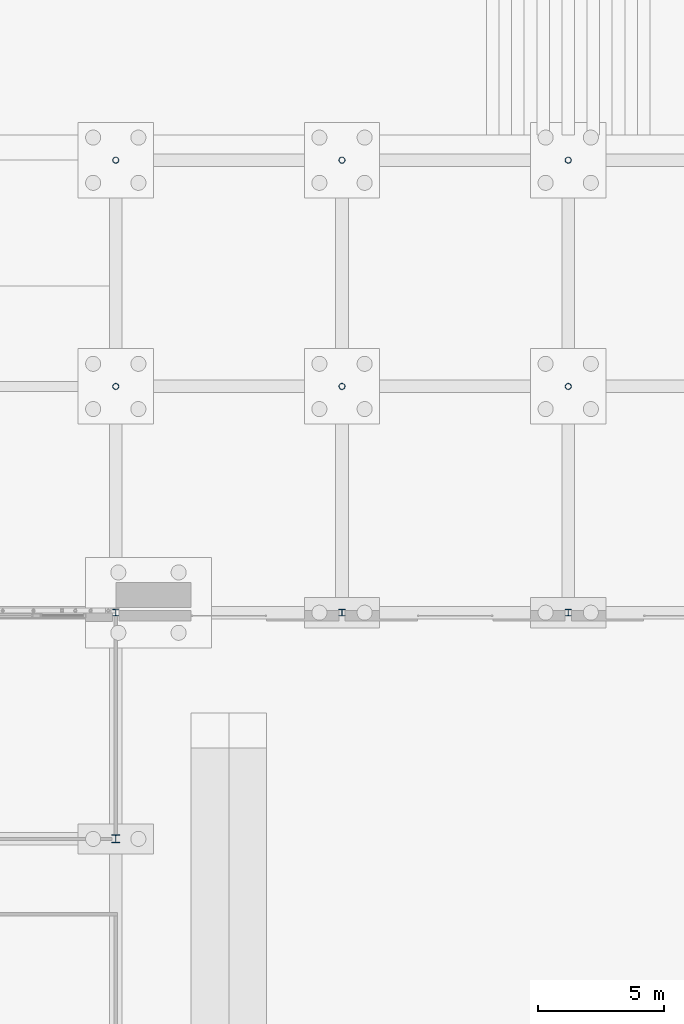
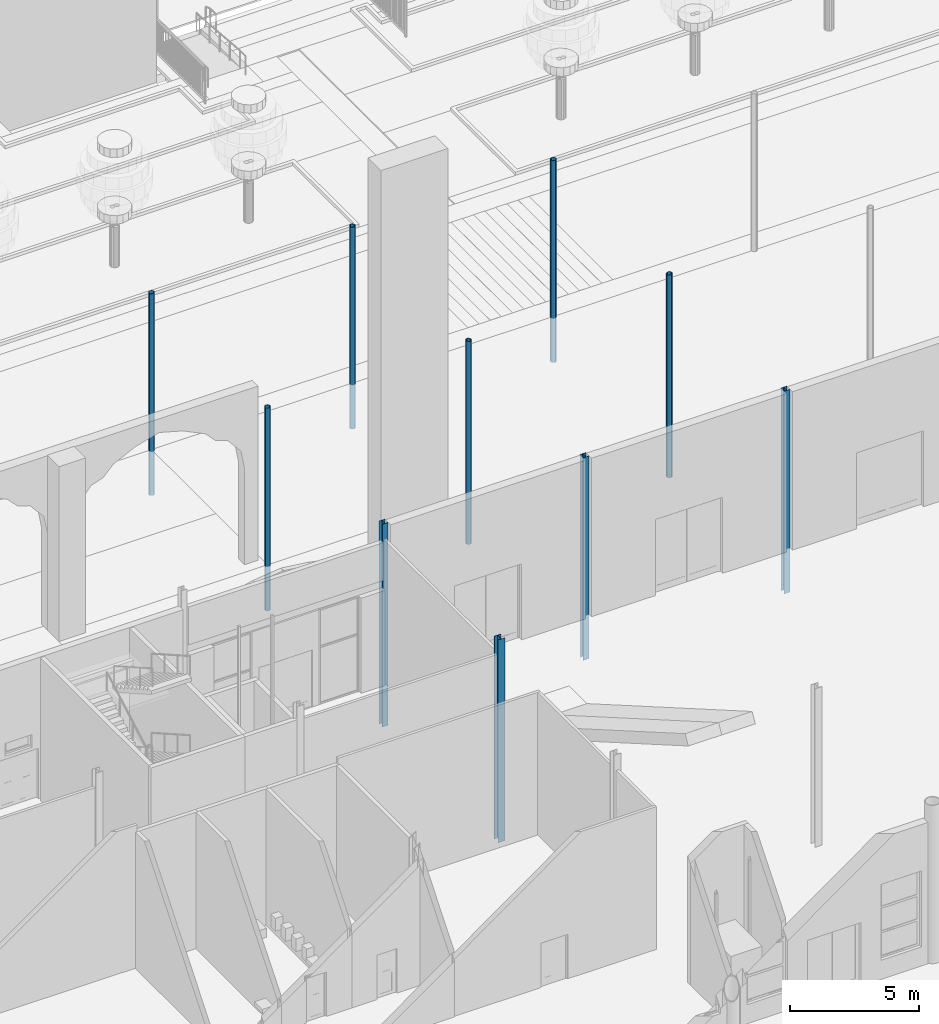
# One storey, part 25 of 250: 10 columns.
"""IFC4 building model written with IfcOpenShell, lengths in metres."""

from ifc_helpers import new_model, si_unit, direction, frame, origin, origin_2d, place, context, subcontext, project, spatial, hollow_circle, i_section, extrude, material, material_profile, profile_set, type_object, element, save


model = new_model("IFC4")

# Units and contexts
model_context = context("Model", 3, precision=1e-05, world=origin(), true_north=direction((0.0, 1.0)))
body_context = subcontext(model_context, "Body", "Model", "MODEL_VIEW")
ifc_project = project(units=[si_unit("LENGTHUNIT", "METRE"), si_unit("AREAUNIT", "SQUARE_METRE"), si_unit("VOLUMEUNIT", "CUBIC_METRE"), si_unit("PLANEANGLEUNIT", "RADIAN"), si_unit("MASSUNIT", "GRAM", prefix="KILO")], contexts=[model_context])

# Site, building, storey
site_placement = place(None, origin())
site = spatial("IfcSite", under=ifc_project, at=site_placement, CompositionType="ELEMENT")
building_placement = place(site_placement, origin())
building = spatial("IfcBuilding", under=site, at=building_placement, Name="Baradari Gate Terminus", CompositionType="ELEMENT")
storey_placement = place(building_placement, origin())
storey = spatial("IfcBuildingStorey", under=building, at=storey_placement, Name="L00", CompositionType="ELEMENT", Elevation=0.0)

# Columns
ifc_material_1 = material(Name="Steel S355", Category="steel")
ifc_material_profile_1 = material_profile(ifc_material_1, hollow_circle(Radius=0.122314453125, WallThickness=0.010009765625, at=origin_2d()), Name="CHS 244.5x10")
ifc_profile_set_1 = profile_set([ifc_material_profile_1], Name="Steel S355")
column_type_1 = type_object("IfcColumnType", Name="Canopy column CHS 244.5x10", PredefinedType="COLUMN", material=ifc_profile_set_1)
for number, where, z_axis, x_axis, name in (
    (1, (135.0, 117.0, -2.10009765625), (0.0, 0.0, 1.0), (1.0, 0.0, 0.0), "COL/L00/CC01"),
    (2, (144.0, 117.0, -2.10009765625), (0.0, 0.0, 1.0), (1.0, 0.0, 0.0), "COL/L00/CC02"),
    (3, (153.0, 117.0, -2.10009765625), (0.0, 0.0, 1.0), (1.0, 0.0, 0.0), "COL/L00/CC03"),
):
    element("IfcColumn", number, at=place(storey_placement, frame(where, z_axis=z_axis, x_axis=x_axis)), inside=storey, type_object=column_type_1, Name=name, PredefinedType="COLUMN", context=body_context, shape_type="SweptSolid", body=[
        extrude(hollow_circle(Radius=0.122314453125, WallThickness=0.010009765625, at=origin_2d()), origin(), (0.0, 0.0, 1.0), 9.60009765625),
    ])
for number, where, z_axis, x_axis, name in (
    (4, (135.0, 126.0, -2.10009765625), (0.0, 0.0, 1.0), (1.0, 0.0, 0.0), "COL/L00/CC06"),
    (5, (144.0, 126.0, -2.10009765625), (0.0, 0.0, 1.0), (1.0, 0.0, 0.0), "COL/L00/CC07"),
    (6, (153.0, 126.0, -2.10009765625), (0.0, 0.0, 1.0), (1.0, 0.0, 0.0), "COL/L00/CC08"),
):
    element("IfcColumn", number, at=place(storey_placement, frame(where, z_axis=z_axis, x_axis=x_axis)), inside=storey, type_object=column_type_1, Name=name, PredefinedType="COLUMN", context=body_context, shape_type="SweptSolid", body=[
        extrude(hollow_circle(Radius=0.122314453125, WallThickness=0.010009765625, at=origin_2d()), origin(), (0.0, 0.0, 1.0), 9.5595703125),
    ])
ifc_material_2 = material(Name="Steel S355", Category="steel")
ifc_material_profile_2 = material_profile(ifc_material_2, i_section(OverallWidth=0.307373046875, OverallDepth=0.314453125, WebThickness=0.011962890625, FlangeThickness=0.018798828125, FilletRadius=0.01513671875, at=origin_2d()), Name="UC 305x305x118")
ifc_profile_set_2 = profile_set([ifc_material_profile_2], Name="Steel S355")
column_type_2 = type_object("IfcColumnType", Name="Head-house column C07 UC 305x305x118", PredefinedType="COLUMN", material=ifc_profile_set_2)
column_placement = place(storey_placement, frame((135.0, 99.0, -2.10009765625), z_axis=(0.0, 0.0, 1.0), x_axis=(1.0, 0.0, 0.0)))
element("IfcColumn", 7, at=column_placement, inside=storey, type_object=column_type_2, Name="C07 column 16-M L00", PredefinedType="COLUMN", context=body_context, shape_type="SweptSolid", body=[
    extrude(i_section(OverallWidth=0.307373046875, OverallDepth=0.314453125, WebThickness=0.011962890625, FlangeThickness=0.018798828125, FilletRadius=0.01513671875, at=origin_2d()), origin(), (0.0, 0.0, 1.0), 9.60009765625),
])
ifc_material_3 = material(Name="Steel S355", Category="steel")
ifc_material_profile_3 = material_profile(ifc_material_3, i_section(OverallWidth=0.25634765625, OverallDepth=0.26025390625, WebThickness=0.01025390625, FlangeThickness=0.017333984375, FilletRadius=0.0126953125, at=origin_2d()), Name="UC 254x254x89")
ifc_profile_set_3 = profile_set([ifc_material_profile_3], Name="Steel S355")
column_type_3 = type_object("IfcColumnType", Name="Head-house facade column C08 UC 254x254x89", PredefinedType="COLUMN", material=ifc_profile_set_3)
for number, where, z_axis, x_axis, name in (
    (8, (135.0, 108.0, -2.10009765625), (0.0, 0.0, 1.0), (1.0, 0.0, 0.0), "C08 column 16-N L00"),
    (9, (144.0, 108.0, -2.10009765625), (0.0, 0.0, 1.0), (1.0, 0.0, 0.0), "C08 column 17-N L00"),
    (10, (153.0, 108.0, -2.10009765625), (0.0, 0.0, 1.0), (1.0, 0.0, 0.0), "C08 column 18-N L00"),
):
    element("IfcColumn", number, at=place(storey_placement, frame(where, z_axis=z_axis, x_axis=x_axis)), inside=storey, type_object=column_type_3, Name=name, PredefinedType="COLUMN", context=body_context, shape_type="SweptSolid", body=[
        extrude(i_section(OverallWidth=0.25634765625, OverallDepth=0.26025390625, WebThickness=0.01025390625, FlangeThickness=0.017333984375, FilletRadius=0.0126953125, at=origin_2d()), origin(), (0.0, 0.0, 1.0), 9.60009765625),
    ])

save(model, "model.ifc")
